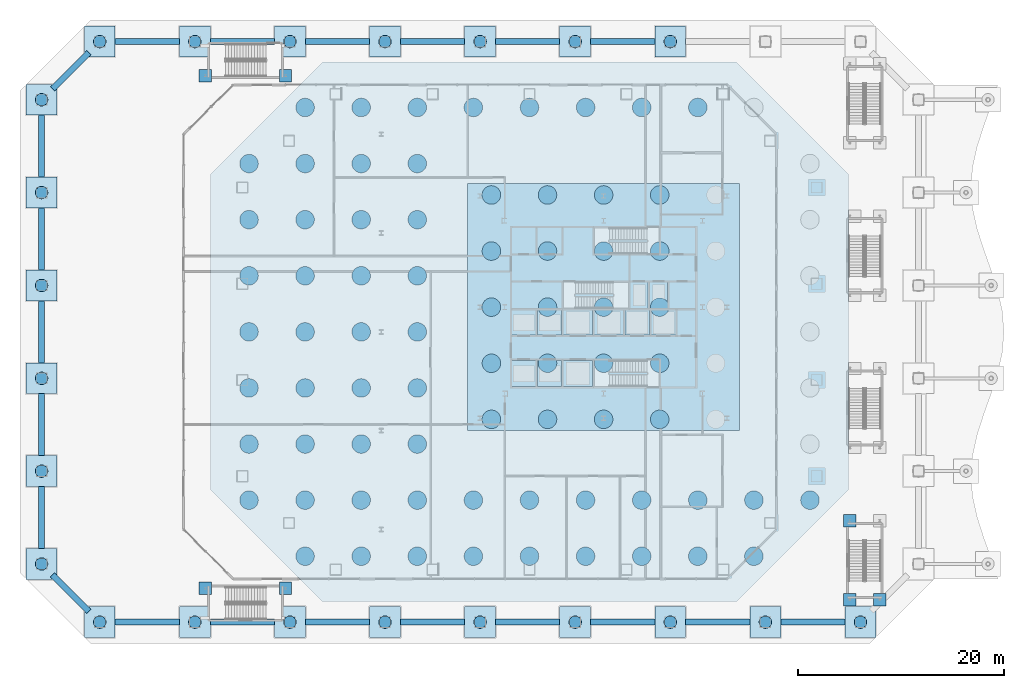
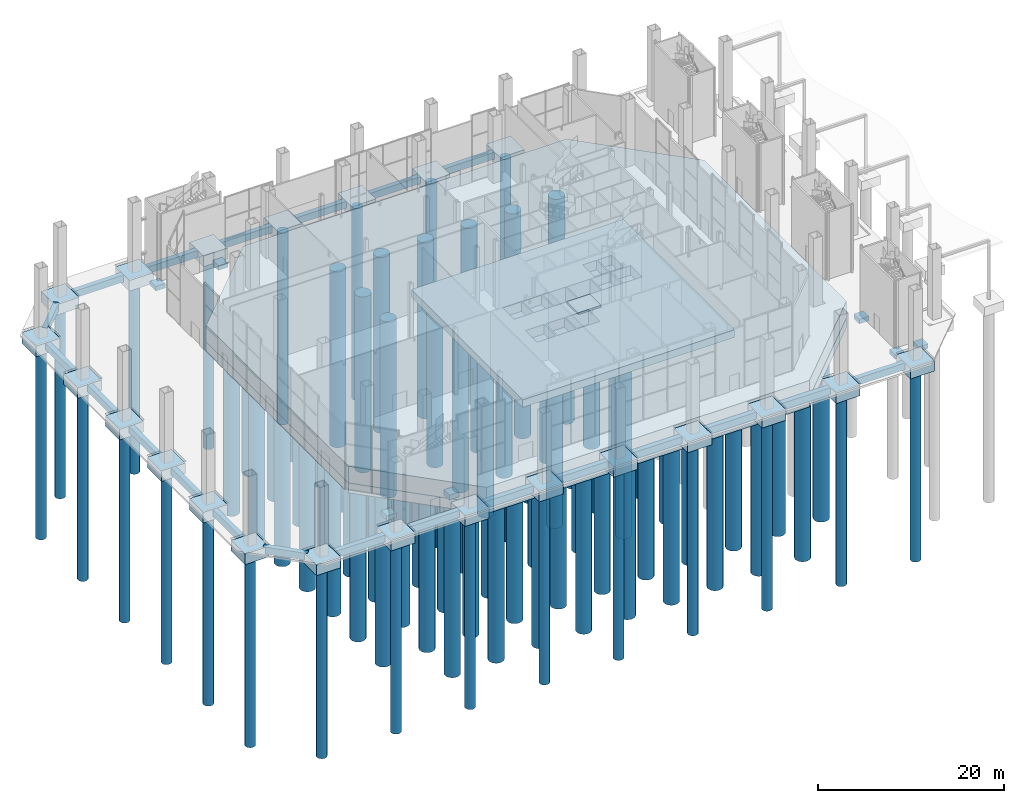
# One storey, part 1 of 38: 94 piles, 64 footings.
"""IFC4 building model written with IfcOpenShell, lengths in metres."""

from ifc_helpers import new_model, si_unit, direction, frame, origin, origin_2d, place, context, subcontext, project, spatial, polyline, rectangle, circle, outline, extrude, material, layer, layer_set, material_profile, profile_set, type_object, element, save


model = new_model("IFC4")

# Units and contexts
model_context = context("Model", 3, precision=1e-05, world=origin(), true_north=direction((0.0, 1.0)))
body_context = subcontext(model_context, "Body", "Model", "MODEL_VIEW")
ifc_project = project(units=[si_unit("LENGTHUNIT", "METRE"), si_unit("AREAUNIT", "SQUARE_METRE"), si_unit("VOLUMEUNIT", "CUBIC_METRE"), si_unit("PLANEANGLEUNIT", "RADIAN"), si_unit("MASSUNIT", "GRAM", prefix="KILO")], contexts=[model_context])

# Site, building, storey
site_placement = place(None, origin())
site = spatial("IfcSite", under=ifc_project, at=site_placement, CompositionType="ELEMENT")
building_placement = place(site_placement, origin())
building = spatial("IfcBuilding", under=site, at=building_placement, Name="Cairn Pilgrim Tower", CompositionType="ELEMENT")
storey_placement = place(building_placement, origin())
storey = spatial("IfcBuildingStorey", under=building, at=storey_placement, Name="L00", CompositionType="ELEMENT", Elevation=0.0)

# Footings
ifc_material_1 = material(Name="Concrete C40/50", Category="concrete")
footing_type_1 = type_object("IfcFootingType", Name="GROUND BEAM 600x900", PredefinedType="FOOTING_BEAM", material=ifc_material_1)
for number, where, z_axis, x_axis, name in (
    (1, (-37.132568359375, -28.199951171875, -1.14990234375), (0.0, 0.0, 1.0), (1.0, 0.0, 0.0), "GROUND BEAM GB-S1"),
    (2, (-27.894775390625, -28.199951171875, -1.14990234375), (0.0, 0.0, 1.0), (1.0, 0.0, 0.0), "GROUND BEAM GB-S2"),
    (3, (-18.65673828125, -28.199951171875, -1.14990234375), (0.0, 0.0, 1.0), (1.0, 0.0, 0.0), "GROUND BEAM GB-S3"),
    (4, (-9.4189453125, -28.199951171875, -1.14990234375), (0.0, 0.0, 1.0), (1.0, 0.0, 0.0), "GROUND BEAM GB-S4"),
    (5, (-0.18115234375, -28.199951171875, -1.14990234375), (0.0, 0.0, 1.0), (1.0, 0.0, 0.0), "GROUND BEAM GB-S5"),
    (6, (9.056884765625, -28.199951171875, -1.14990234375), (0.0, 0.0, 1.0), (1.0, 0.0, 0.0), "GROUND BEAM GB-S6"),
    (7, (18.294677734375, -28.199951171875, -1.14990234375), (0.0, 0.0, 1.0), (1.0, 0.0, 0.0), "GROUND BEAM GB-S7"),
    (8, (27.532470703125, -28.199951171875, -1.14990234375), (0.0, 0.0, 1.0), (1.0, 0.0, 0.0), "GROUND BEAM GB-S8"),
    (9, (9.056884765625, 28.199951171875, -1.14990234375), (0.0, 0.0, 1.0), (-1.0, 0.0, 0.0), "GROUND BEAM GB-N3"),
    (10, (-0.18115234375, 28.199951171875, -1.14990234375), (0.0, 0.0, 1.0), (-1.0, 0.0, 0.0), "GROUND BEAM GB-N4"),
    (11, (-9.4189453125, 28.199951171875, -1.14990234375), (0.0, 0.0, 1.0), (-1.0, 0.0, 0.0), "GROUND BEAM GB-N5"),
    (12, (-18.65673828125, 28.199951171875, -1.14990234375), (0.0, 0.0, 1.0), (-1.0, 0.0, 0.0), "GROUND BEAM GB-N6"),
    (13, (-27.894775390625, 28.199951171875, -1.14990234375), (0.0, 0.0, 1.0), (-1.0, 0.0, 0.0), "GROUND BEAM GB-N7"),
    (14, (-37.132568359375, 28.199951171875, -1.14990234375), (0.0, 0.0, 1.0), (-1.0, 0.0, 0.0), "GROUND BEAM GB-N8"),
):
    element("IfcFooting", number, at=place(storey_placement, frame(where, z_axis=z_axis, x_axis=x_axis)), inside=storey, type_object=footing_type_1, Name=name, PredefinedType="FOOTING_BEAM", context=body_context, shape_type="SweptSolid", body=[
        extrude(rectangle(XDim=6.23779296875, YDim=0.60009765625, at=origin_2d()), origin(), (0.0, 0.0, 1.0), 0.89990234375),
    ])
footing_1_placement = place(storey_placement, frame((-44.57568359375, 25.375732421875, -1.14990234375), z_axis=(0.0, 0.0, 1.0), x_axis=(-0.707106781187, -0.707106781187, 0.0)))
element("IfcFooting", 15, at=footing_1_placement, inside=storey, type_object=footing_type_1, Name="GROUND BEAM GB-NW1", PredefinedType="FOOTING_BEAM", context=body_context, shape_type="SweptSolid", body=[
    extrude(rectangle(XDim=4.98828125, YDim=0.60009765625, at=origin_2d()), origin(), (0.0, 0.0, 1.0), 0.89990234375),
])
for number, where, z_axis, x_axis, name in (
    (16, (-47.39990234375, 18.041259765625, -1.14990234375), (0.0, 0.0, 1.0), (0.0, -1.0, 0.0), "GROUND BEAM GB-W1"),
    (17, (-47.39990234375, 9.0205078125, -1.14990234375), (0.0, 0.0, 1.0), (0.0, -1.0, 0.0), "GROUND BEAM GB-W2"),
    (18, (-47.39990234375, 0.0, -1.14990234375), (0.0, 0.0, 1.0), (0.0, -1.0, 0.0), "GROUND BEAM GB-W3"),
    (19, (-47.39990234375, -9.0205078125, -1.14990234375), (0.0, 0.0, 1.0), (0.0, -1.0, 0.0), "GROUND BEAM GB-W4"),
    (20, (-47.39990234375, -18.041259765625, -1.14990234375), (0.0, 0.0, 1.0), (0.0, -1.0, 0.0), "GROUND BEAM GB-W5"),
):
    element("IfcFooting", number, at=place(storey_placement, frame(where, z_axis=z_axis, x_axis=x_axis)), inside=storey, type_object=footing_type_1, Name=name, PredefinedType="FOOTING_BEAM", context=body_context, shape_type="SweptSolid", body=[
        extrude(rectangle(XDim=6.0205078125, YDim=0.60009765625, at=origin_2d()), origin(), (0.0, 0.0, 1.0), 0.89990234375),
    ])
footing_2_placement = place(storey_placement, frame((-44.57568359375, -25.375732421875, -1.14990234375), z_axis=(0.0, 0.0, 1.0), x_axis=(0.707106781187, -0.707106781187, 0.0)))
element("IfcFooting", 21, at=footing_2_placement, inside=storey, type_object=footing_type_1, Name="GROUND BEAM GB-SW1", PredefinedType="FOOTING_BEAM", context=body_context, shape_type="SweptSolid", body=[
    extrude(rectangle(XDim=4.98828125, YDim=0.60009765625, at=origin_2d()), origin(), (0.0, 0.0, 1.0), 0.89990234375),
])
footing_type_2 = type_object("IfcFootingType", Name="PAD 1200x1200x600", PredefinedType="PAD_FOOTING", material=ifc_material_1)
for number, where, z_axis, x_axis, name in (
    (22, (-31.5, 24.89990234375, -0.85009765625), (0.0, 0.0, 1.0), (1.0, 0.0, 0.0), "PAD PAD-HN-W"),
    (23, (-23.699951171875, 24.89990234375, -0.85009765625), (0.0, 0.0, 1.0), (1.0, 0.0, 0.0), "PAD PAD-HN-E"),
    (24, (-31.5, -24.89990234375, -0.85009765625), (0.0, 0.0, 1.0), (1.0, 0.0, 0.0), "PAD PAD-HS-W"),
    (25, (-23.699951171875, -24.89990234375, -0.85009765625), (0.0, 0.0, 1.0), (1.0, 0.0, 0.0), "PAD PAD-HS-E"),
    (26, (31.10498046875, -18.360107421875, -0.85009765625), (0.0, 0.0, 1.0), (1.0, 0.0, 0.0), "PAD PAD-ES1-NA"),
    (27, (31.10498046875, -26.0400390625, -0.85009765625), (0.0, 0.0, 1.0), (1.0, 0.0, 0.0), "PAD PAD-ES1-SA"),
    (28, (34.044921875, -26.0400390625, -0.85009765625), (0.0, 0.0, 1.0), (1.0, 0.0, 0.0), "PAD PAD-ES1-SB"),
):
    element("IfcFooting", number, at=place(storey_placement, frame(where, z_axis=z_axis, x_axis=x_axis)), inside=storey, type_object=footing_type_2, Name=name, PredefinedType="PAD_FOOTING", context=body_context, shape_type="SweptSolid", body=[
        extrude(rectangle(XDim=1.199951171875, YDim=1.199951171875, at=origin_2d()), origin(), (0.0, 0.0, 1.0), 0.60009765625),
    ])

# Piles
ifc_material_2 = material(Name="Concrete C35/45", Category="concrete")
ifc_material_profile_1 = material_profile(ifc_material_2, circle(Radius=0.60009765625, at=origin_2d()), Name="D1200")
ifc_profile_set_1 = profile_set([ifc_material_profile_1], Name="Concrete C35/45")
pile_type_1 = type_object("IfcPileType", Name="PILE BORED D1200", PredefinedType="BORED", material=ifc_profile_set_1)
for number, where, z_axis, x_axis, name in (
    (29, (-41.75146484375, -28.199951171875, -1.5), (0.0, 0.0, -1.0), (1.0, 0.0, 0.0), "PILE P2-S1"),
    (30, (-32.513671875, -28.199951171875, -1.5), (0.0, 0.0, -1.0), (1.0, 0.0, 0.0), "PILE P2-S2"),
    (31, (-23.275634765625, -28.199951171875, -1.5), (0.0, 0.0, -1.0), (1.0, 0.0, 0.0), "PILE P2-S3"),
    (32, (-14.037841796875, -28.199951171875, -1.5), (0.0, 0.0, -1.0), (1.0, 0.0, 0.0), "PILE P2-S4"),
    (33, (-4.800048828125, -28.199951171875, -1.5), (0.0, 0.0, -1.0), (1.0, 0.0, 0.0), "PILE P2-S5"),
    (34, (4.43798828125, -28.199951171875, -1.5), (0.0, 0.0, -1.0), (1.0, 0.0, 0.0), "PILE P2-S6"),
    (35, (13.67578125, -28.199951171875, -1.5), (0.0, 0.0, -1.0), (1.0, 0.0, 0.0), "PILE P2-S7"),
    (36, (22.91357421875, -28.199951171875, -1.5), (0.0, 0.0, -1.0), (1.0, 0.0, 0.0), "PILE P2-S8"),
    (37, (32.151611328125, -28.199951171875, -1.5), (0.0, 0.0, -1.0), (1.0, 0.0, 0.0), "PILE P2-SE1"),
    (38, (13.67578125, 28.199951171875, -1.5), (0.0, 0.0, -1.0), (1.0, 0.0, 0.0), "PILE P2-N3"),
    (39, (4.43798828125, 28.199951171875, -1.5), (0.0, 0.0, -1.0), (1.0, 0.0, 0.0), "PILE P2-N4"),
    (40, (-4.800048828125, 28.199951171875, -1.5), (0.0, 0.0, -1.0), (1.0, 0.0, 0.0), "PILE P2-N5"),
    (41, (-14.037841796875, 28.199951171875, -1.5), (0.0, 0.0, -1.0), (1.0, 0.0, 0.0), "PILE P2-N6"),
    (42, (-23.275634765625, 28.199951171875, -1.5), (0.0, 0.0, -1.0), (1.0, 0.0, 0.0), "PILE P2-N7"),
    (43, (-32.513671875, 28.199951171875, -1.5), (0.0, 0.0, -1.0), (1.0, 0.0, 0.0), "PILE P2-N8"),
    (44, (-41.75146484375, 28.199951171875, -1.5), (0.0, 0.0, -1.0), (1.0, 0.0, 0.0), "PILE P2-NW1"),
    (45, (-47.39990234375, 22.551513671875, -1.5), (0.0, 0.0, -1.0), (1.0, 0.0, 0.0), "PILE P2-W1"),
    (46, (-47.39990234375, 13.531005859375, -1.5), (0.0, 0.0, -1.0), (1.0, 0.0, 0.0), "PILE P2-W2"),
    (47, (-47.39990234375, 4.51025390625, -1.5), (0.0, 0.0, -1.0), (1.0, 0.0, 0.0), "PILE P2-W3"),
    (48, (-47.39990234375, -4.51025390625, -1.5), (0.0, 0.0, -1.0), (1.0, 0.0, 0.0), "PILE P2-W4"),
    (49, (-47.39990234375, -13.531005859375, -1.5), (0.0, 0.0, -1.0), (1.0, 0.0, 0.0), "PILE P2-W5"),
    (50, (-47.39990234375, -22.551513671875, -1.5), (0.0, 0.0, -1.0), (1.0, 0.0, 0.0), "PILE P2-SW1"),
):
    element("IfcPile", number, at=place(storey_placement, frame(where, z_axis=z_axis, x_axis=x_axis)), inside=storey, type_object=pile_type_1, Name=name, PredefinedType="BORED", context=body_context, shape_type="SweptSolid", body=[
        extrude(circle(Radius=0.60009765625, at=origin_2d()), origin(), (0.0, 0.0, 1.0), 25.25),
    ])
ifc_material_profile_2 = material_profile(ifc_material_2, circle(Radius=0.89990234375, at=origin_2d()), Name="D1800")
ifc_profile_set_2 = profile_set([ifc_material_profile_2], Name="Concrete C35/45")
pile_type_2 = type_object("IfcPileType", Name="PILE BORED D1800", PredefinedType="BORED", material=ifc_profile_set_2)
for number, where, z_axis, x_axis, name in (
    (51, (-21.800048828125, -21.800048828125, -3.60009765625), (0.0, 0.0, -1.0), (1.0, 0.0, 0.0), "PILE P1-001"),
    (52, (-16.35009765625, -21.800048828125, -3.60009765625), (0.0, 0.0, -1.0), (1.0, 0.0, 0.0), "PILE P1-002"),
    (53, (-10.89990234375, -21.800048828125, -3.60009765625), (0.0, 0.0, -1.0), (1.0, 0.0, 0.0), "PILE P1-003"),
    (54, (-5.449951171875, -21.800048828125, -3.60009765625), (0.0, 0.0, -1.0), (1.0, 0.0, 0.0), "PILE P1-004"),
    (55, (0.0, -21.800048828125, -3.60009765625), (0.0, 0.0, -1.0), (1.0, 0.0, 0.0), "PILE P1-005"),
    (56, (5.449951171875, -21.800048828125, -3.60009765625), (0.0, 0.0, -1.0), (1.0, 0.0, 0.0), "PILE P1-006"),
    (57, (10.89990234375, -21.800048828125, -3.60009765625), (0.0, 0.0, -1.0), (1.0, 0.0, 0.0), "PILE P1-007"),
    (58, (16.35009765625, -21.800048828125, -3.60009765625), (0.0, 0.0, -1.0), (1.0, 0.0, 0.0), "PILE P1-008"),
    (59, (21.800048828125, -21.800048828125, -3.60009765625), (0.0, 0.0, -1.0), (1.0, 0.0, 0.0), "PILE P1-009"),
    (60, (-27.25, -16.35009765625, -3.60009765625), (0.0, 0.0, -1.0), (1.0, 0.0, 0.0), "PILE P1-010"),
    (61, (-21.800048828125, -16.35009765625, -3.60009765625), (0.0, 0.0, -1.0), (1.0, 0.0, 0.0), "PILE P1-011"),
    (62, (-16.35009765625, -16.35009765625, -3.60009765625), (0.0, 0.0, -1.0), (1.0, 0.0, 0.0), "PILE P1-012"),
    (63, (-10.89990234375, -16.35009765625, -3.60009765625), (0.0, 0.0, -1.0), (1.0, 0.0, 0.0), "PILE P1-013"),
    (64, (-5.449951171875, -16.35009765625, -3.60009765625), (0.0, 0.0, -1.0), (1.0, 0.0, 0.0), "PILE P1-014"),
    (65, (0.0, -16.35009765625, -3.60009765625), (0.0, 0.0, -1.0), (1.0, 0.0, 0.0), "PILE P1-015"),
    (66, (5.449951171875, -16.35009765625, -3.60009765625), (0.0, 0.0, -1.0), (1.0, 0.0, 0.0), "PILE P1-016"),
    (67, (10.89990234375, -16.35009765625, -3.60009765625), (0.0, 0.0, -1.0), (1.0, 0.0, 0.0), "PILE P1-017"),
    (68, (16.35009765625, -16.35009765625, -3.60009765625), (0.0, 0.0, -1.0), (1.0, 0.0, 0.0), "PILE P1-018"),
    (69, (21.800048828125, -16.35009765625, -3.60009765625), (0.0, 0.0, -1.0), (1.0, 0.0, 0.0), "PILE P1-019"),
    (70, (27.25, -16.35009765625, -3.60009765625), (0.0, 0.0, -1.0), (1.0, 0.0, 0.0), "PILE P1-020"),
    (71, (-27.25, -10.89990234375, -3.60009765625), (0.0, 0.0, -1.0), (1.0, 0.0, 0.0), "PILE P1-021"),
    (72, (-21.800048828125, -10.89990234375, -3.60009765625), (0.0, 0.0, -1.0), (1.0, 0.0, 0.0), "PILE P1-022"),
    (73, (-16.35009765625, -10.89990234375, -3.60009765625), (0.0, 0.0, -1.0), (1.0, 0.0, 0.0), "PILE P1-023"),
    (74, (-10.89990234375, -10.89990234375, -3.60009765625), (0.0, 0.0, -1.0), (1.0, 0.0, 0.0), "PILE P1-024"),
    (75, (-27.25, -5.449951171875, -3.60009765625), (0.0, 0.0, -1.0), (1.0, 0.0, 0.0), "PILE P1-026"),
    (76, (-21.800048828125, -5.449951171875, -3.60009765625), (0.0, 0.0, -1.0), (1.0, 0.0, 0.0), "PILE P1-027"),
    (77, (-16.35009765625, -5.449951171875, -3.60009765625), (0.0, 0.0, -1.0), (1.0, 0.0, 0.0), "PILE P1-028"),
    (78, (-10.89990234375, -5.449951171875, -3.60009765625), (0.0, 0.0, -1.0), (1.0, 0.0, 0.0), "PILE P1-029"),
    (79, (-27.25, 0.0, -3.60009765625), (0.0, 0.0, -1.0), (1.0, 0.0, 0.0), "PILE P1-031"),
    (80, (-21.800048828125, 0.0, -3.60009765625), (0.0, 0.0, -1.0), (1.0, 0.0, 0.0), "PILE P1-032"),
    (81, (-16.35009765625, 0.0, -3.60009765625), (0.0, 0.0, -1.0), (1.0, 0.0, 0.0), "PILE P1-033"),
    (82, (-10.89990234375, 0.0, -3.60009765625), (0.0, 0.0, -1.0), (1.0, 0.0, 0.0), "PILE P1-034"),
    (83, (-27.25, 5.449951171875, -3.60009765625), (0.0, 0.0, -1.0), (1.0, 0.0, 0.0), "PILE P1-036"),
    (84, (-21.800048828125, 5.449951171875, -3.60009765625), (0.0, 0.0, -1.0), (1.0, 0.0, 0.0), "PILE P1-037"),
    (85, (-16.35009765625, 5.449951171875, -3.60009765625), (0.0, 0.0, -1.0), (1.0, 0.0, 0.0), "PILE P1-038"),
    (86, (-10.89990234375, 5.449951171875, -3.60009765625), (0.0, 0.0, -1.0), (1.0, 0.0, 0.0), "PILE P1-039"),
    (87, (-27.25, 10.89990234375, -3.60009765625), (0.0, 0.0, -1.0), (1.0, 0.0, 0.0), "PILE P1-041"),
    (88, (-21.800048828125, 10.89990234375, -3.60009765625), (0.0, 0.0, -1.0), (1.0, 0.0, 0.0), "PILE P1-042"),
    (89, (-16.35009765625, 10.89990234375, -3.60009765625), (0.0, 0.0, -1.0), (1.0, 0.0, 0.0), "PILE P1-043"),
    (90, (-10.89990234375, 10.89990234375, -3.60009765625), (0.0, 0.0, -1.0), (1.0, 0.0, 0.0), "PILE P1-044"),
    (91, (-27.25, 16.35009765625, -3.60009765625), (0.0, 0.0, -1.0), (1.0, 0.0, 0.0), "PILE P1-046"),
    (92, (-21.800048828125, 16.35009765625, -3.60009765625), (0.0, 0.0, -1.0), (1.0, 0.0, 0.0), "PILE P1-047"),
    (93, (-16.35009765625, 16.35009765625, -3.60009765625), (0.0, 0.0, -1.0), (1.0, 0.0, 0.0), "PILE P1-048"),
    (94, (-10.89990234375, 16.35009765625, -3.60009765625), (0.0, 0.0, -1.0), (1.0, 0.0, 0.0), "PILE P1-049"),
    (95, (-21.800048828125, 21.800048828125, -3.60009765625), (0.0, 0.0, -1.0), (1.0, 0.0, 0.0), "PILE P1-051"),
    (96, (-16.35009765625, 21.800048828125, -3.60009765625), (0.0, 0.0, -1.0), (1.0, 0.0, 0.0), "PILE P1-052"),
    (97, (-10.89990234375, 21.800048828125, -3.60009765625), (0.0, 0.0, -1.0), (1.0, 0.0, 0.0), "PILE P1-053"),
    (98, (-5.449951171875, 21.800048828125, -3.60009765625), (0.0, 0.0, -1.0), (1.0, 0.0, 0.0), "PILE P1-054"),
    (99, (0.0, 21.800048828125, -3.60009765625), (0.0, 0.0, -1.0), (1.0, 0.0, 0.0), "PILE P1-055"),
    (100, (5.449951171875, 21.800048828125, -3.60009765625), (0.0, 0.0, -1.0), (1.0, 0.0, 0.0), "PILE P1-056"),
    (101, (10.89990234375, 21.800048828125, -3.60009765625), (0.0, 0.0, -1.0), (1.0, 0.0, 0.0), "PILE P1-057"),
    (102, (16.35009765625, 21.800048828125, -3.60009765625), (0.0, 0.0, -1.0), (1.0, 0.0, 0.0), "PILE P1-058"),
):
    element("IfcPile", number, at=place(storey_placement, frame(where, z_axis=z_axis, x_axis=x_axis)), inside=storey, type_object=pile_type_2, Name=name, PredefinedType="BORED", context=body_context, shape_type="SweptSolid", body=[
        extrude(circle(Radius=0.89990234375, at=origin_2d()), origin(), (0.0, 0.0, 1.0), 23.14990234375),
    ])
ifc_material_profile_3 = material_profile(ifc_material_2, circle(Radius=0.89990234375, at=origin_2d()), Name="D1800")
ifc_profile_set_3 = profile_set([ifc_material_profile_3], Name="Concrete C35/45")
pile_type_3 = type_object("IfcPileType", Name="PILE BORED D1800 CORE", PredefinedType="BORED", material=ifc_profile_set_3)
for number, where, z_axis, x_axis, name in (
    (103, (-3.699951171875, -8.5, -4.60009765625), (0.0, 0.0, -1.0), (1.0, 0.0, 0.0), "PILE P3-060"),
    (104, (1.75, -8.5, -4.60009765625), (0.0, 0.0, -1.0), (1.0, 0.0, 0.0), "PILE P3-061"),
    (105, (7.199951171875, -8.5, -4.60009765625), (0.0, 0.0, -1.0), (1.0, 0.0, 0.0), "PILE P3-062"),
    (106, (12.64990234375, -8.5, -4.60009765625), (0.0, 0.0, -1.0), (1.0, 0.0, 0.0), "PILE P3-063"),
    (107, (-3.699951171875, -3.050048828125, -4.60009765625), (0.0, 0.0, -1.0), (1.0, 0.0, 0.0), "PILE P3-065"),
    (108, (1.75, -3.050048828125, -4.60009765625), (0.0, 0.0, -1.0), (1.0, 0.0, 0.0), "PILE P3-066"),
    (109, (7.199951171875, -3.050048828125, -4.60009765625), (0.0, 0.0, -1.0), (1.0, 0.0, 0.0), "PILE P3-067"),
    (110, (12.64990234375, -3.050048828125, -4.60009765625), (0.0, 0.0, -1.0), (1.0, 0.0, 0.0), "PILE P3-068"),
    (111, (-3.699951171875, 2.39990234375, -4.60009765625), (0.0, 0.0, -1.0), (1.0, 0.0, 0.0), "PILE P3-070"),
    (112, (1.75, 2.39990234375, -4.60009765625), (0.0, 0.0, -1.0), (1.0, 0.0, 0.0), "PILE P3-071"),
    (113, (7.199951171875, 2.39990234375, -4.60009765625), (0.0, 0.0, -1.0), (1.0, 0.0, 0.0), "PILE P3-072"),
    (114, (12.64990234375, 2.39990234375, -4.60009765625), (0.0, 0.0, -1.0), (1.0, 0.0, 0.0), "PILE P3-073"),
    (115, (-3.699951171875, 7.85009765625, -4.60009765625), (0.0, 0.0, -1.0), (1.0, 0.0, 0.0), "PILE P3-075"),
    (116, (1.75, 7.85009765625, -4.60009765625), (0.0, 0.0, -1.0), (1.0, 0.0, 0.0), "PILE P3-076"),
    (117, (7.199951171875, 7.85009765625, -4.60009765625), (0.0, 0.0, -1.0), (1.0, 0.0, 0.0), "PILE P3-077"),
    (118, (12.64990234375, 7.85009765625, -4.60009765625), (0.0, 0.0, -1.0), (1.0, 0.0, 0.0), "PILE P3-078"),
    (119, (-3.699951171875, 13.300048828125, -4.60009765625), (0.0, 0.0, -1.0), (1.0, 0.0, 0.0), "PILE P3-080"),
    (120, (1.75, 13.300048828125, -4.60009765625), (0.0, 0.0, -1.0), (1.0, 0.0, 0.0), "PILE P3-081"),
    (121, (7.199951171875, 13.300048828125, -4.60009765625), (0.0, 0.0, -1.0), (1.0, 0.0, 0.0), "PILE P3-082"),
    (122, (12.64990234375, 13.300048828125, -4.60009765625), (0.0, 0.0, -1.0), (1.0, 0.0, 0.0), "PILE P3-083"),
):
    element("IfcPile", number, at=place(storey_placement, frame(where, z_axis=z_axis, x_axis=x_axis)), inside=storey, type_object=pile_type_3, Name=name, PredefinedType="BORED", context=body_context, shape_type="SweptSolid", body=[
        extrude(circle(Radius=0.89990234375, at=origin_2d()), origin(), (0.0, 0.0, 1.0), 22.14990234375),
    ])

# Footings
ifc_material_3 = material(Name="Concrete C45/55", Category="concrete")
footing_type_3 = type_object("IfcFootingType", Name="PILE CAP 3000x3000x1400", PredefinedType="PILE_CAP", material=ifc_material_3)
for number, where, z_axis, x_axis, name in (
    (123, (-41.75146484375, -28.199951171875, -1.64990234375), (0.0, 0.0, 1.0), (1.0, 0.0, 0.0), "PILE CAP PC-S1"),
    (124, (-32.513671875, -28.199951171875, -1.64990234375), (0.0, 0.0, 1.0), (1.0, 0.0, 0.0), "PILE CAP PC-S2"),
    (125, (-23.275634765625, -28.199951171875, -1.64990234375), (0.0, 0.0, 1.0), (1.0, 0.0, 0.0), "PILE CAP PC-S3"),
    (126, (-14.037841796875, -28.199951171875, -1.64990234375), (0.0, 0.0, 1.0), (1.0, 0.0, 0.0), "PILE CAP PC-S4"),
    (127, (-4.800048828125, -28.199951171875, -1.64990234375), (0.0, 0.0, 1.0), (1.0, 0.0, 0.0), "PILE CAP PC-S5"),
    (128, (4.43798828125, -28.199951171875, -1.64990234375), (0.0, 0.0, 1.0), (1.0, 0.0, 0.0), "PILE CAP PC-S6"),
    (129, (13.67578125, -28.199951171875, -1.64990234375), (0.0, 0.0, 1.0), (1.0, 0.0, 0.0), "PILE CAP PC-S7"),
    (130, (22.91357421875, -28.199951171875, -1.64990234375), (0.0, 0.0, 1.0), (1.0, 0.0, 0.0), "PILE CAP PC-S8"),
    (131, (32.151611328125, -28.199951171875, -1.64990234375), (0.0, 0.0, 1.0), (1.0, 0.0, 0.0), "PILE CAP PC-SE1"),
    (132, (13.67578125, 28.199951171875, -1.64990234375), (0.0, 0.0, 1.0), (1.0, 0.0, 0.0), "PILE CAP PC-N3"),
    (133, (4.43798828125, 28.199951171875, -1.64990234375), (0.0, 0.0, 1.0), (1.0, 0.0, 0.0), "PILE CAP PC-N4"),
    (134, (-4.800048828125, 28.199951171875, -1.64990234375), (0.0, 0.0, 1.0), (1.0, 0.0, 0.0), "PILE CAP PC-N5"),
    (135, (-14.037841796875, 28.199951171875, -1.64990234375), (0.0, 0.0, 1.0), (1.0, 0.0, 0.0), "PILE CAP PC-N6"),
    (136, (-23.275634765625, 28.199951171875, -1.64990234375), (0.0, 0.0, 1.0), (1.0, 0.0, 0.0), "PILE CAP PC-N7"),
    (137, (-32.513671875, 28.199951171875, -1.64990234375), (0.0, 0.0, 1.0), (1.0, 0.0, 0.0), "PILE CAP PC-N8"),
    (138, (-41.75146484375, 28.199951171875, -1.64990234375), (0.0, 0.0, 1.0), (1.0, 0.0, 0.0), "PILE CAP PC-NW1"),
    (139, (-47.39990234375, 22.551513671875, -1.64990234375), (0.0, 0.0, 1.0), (1.0, 0.0, 0.0), "PILE CAP PC-W1"),
    (140, (-47.39990234375, 13.531005859375, -1.64990234375), (0.0, 0.0, 1.0), (1.0, 0.0, 0.0), "PILE CAP PC-W2"),
    (141, (-47.39990234375, 4.51025390625, -1.64990234375), (0.0, 0.0, 1.0), (1.0, 0.0, 0.0), "PILE CAP PC-W3"),
    (142, (-47.39990234375, -4.51025390625, -1.64990234375), (0.0, 0.0, 1.0), (1.0, 0.0, 0.0), "PILE CAP PC-W4"),
    (143, (-47.39990234375, -13.531005859375, -1.64990234375), (0.0, 0.0, 1.0), (1.0, 0.0, 0.0), "PILE CAP PC-W5"),
    (144, (-47.39990234375, -22.551513671875, -1.64990234375), (0.0, 0.0, 1.0), (1.0, 0.0, 0.0), "PILE CAP PC-SW1"),
):
    element("IfcFooting", number, at=place(storey_placement, frame(where, z_axis=z_axis, x_axis=x_axis)), inside=storey, type_object=footing_type_3, Name=name, PredefinedType="PILE_CAP", context=body_context, shape_type="SweptSolid", body=[
        extrude(rectangle(XDim=3.0, YDim=3.0, at=origin_2d()), origin(), (0.0, 0.0, 1.0), 1.39990234375),
    ])
ifc_layer_1 = layer(ifc_material_3, 1.0)
ifc_layer_set_1 = layer_set([ifc_layer_1], Name="RAFT CORE THICKENING 1000")
footing_type_4 = type_object("IfcFootingType", Name="RAFT CORE THICKENING 1000", PredefinedType="USERDEFINED", material=ifc_layer_set_1)
footing_3_placement = place(storey_placement, frame((0.0, 0.0, -4.75)))
element("IfcFooting", 145, at=footing_3_placement, inside=storey, type_object=footing_type_4, Name="RAFT CORE THICKENING", ObjectType="RAFT THICKENING", PredefinedType="USERDEFINED", context=body_context, shape_type="SweptSolid", body=[
    extrude(outline(polyline([(20.39990234375, -9.60009765625), (20.39990234375, 14.39990234375), (-6.0, 14.39990234375), (-6.0, -9.60009765625), (20.39990234375, -9.60009765625)])), origin(), (0.0, 0.0, 1.0), 1.0),
])
ifc_layer_2 = layer(ifc_material_3, 1.300048828125)
ifc_layer_set_2 = layer_set([ifc_layer_2], Name="RAFT LOWER LAYER")
footing_type_5 = type_object("IfcFootingType", Name="RAFT LOWER LAYER", PredefinedType="USERDEFINED", material=ifc_layer_set_2)
footing_4_placement = place(storey_placement, frame((0.0, 0.0, -3.75)))
element("IfcFooting", 146, at=footing_4_placement, inside=storey, type_object=footing_type_5, Name="RAFT LOWER LAYER", ObjectType="RAFT FOUNDATION", PredefinedType="USERDEFINED", context=body_context, shape_type="SweptSolid", body=[
    extrude(outline(polyline([(20.111328125, -26.199951171875), (31.0, -15.311279296875), (31.0, 15.311279296875), (20.111328125, 26.199951171875), (-20.111328125, 26.199951171875), (-31.0, 15.311279296875), (-31.0, -15.311279296875), (-20.111328125, -26.199951171875), (20.111328125, -26.199951171875)])), origin(), (0.0, 0.0, 1.0), 1.300048828125),
])
ifc_layer_3 = layer(ifc_material_1, 0.25)
ifc_layer_set_3 = layer_set([ifc_layer_3], Name="RAFT PIT INFILL 250")
footing_type_6 = type_object("IfcFootingType", Name="RAFT PIT INFILL 250", PredefinedType="USERDEFINED", material=ifc_layer_set_3)
footing_5_placement = place(storey_placement, frame((0.0, 0.0, -2.449951171875)))
element("IfcFooting", 147, at=footing_5_placement, inside=storey, type_object=footing_type_6, Name="RAFT PIT INFILL SH1", ObjectType="RAFT FOUNDATION", PredefinedType="USERDEFINED", context=body_context, shape_type="SweptSolid", body=[
    extrude(outline(polyline([(3.27490234375, -5.300048828125), (6.125, -5.300048828125), (6.125, -2.77490234375), (3.27490234375, -2.77490234375), (3.27490234375, -5.300048828125)])), origin(), (0.0, 0.0, 1.0), 0.25),
])
footing_6_placement = place(storey_placement, frame((0.0, 0.0, -2.449951171875)))
element("IfcFooting", 148, at=footing_6_placement, inside=storey, type_object=footing_type_6, Name="RAFT PIT INFILL SH2", ObjectType="RAFT FOUNDATION", PredefinedType="USERDEFINED", context=body_context, shape_type="SweptSolid", body=[
    extrude(outline(polyline([(3.27490234375, -0.324951171875), (6.125, -0.324951171875), (6.125, 2.125), (3.27490234375, 2.125), (3.27490234375, -0.324951171875)])), origin(), (0.0, 0.0, 1.0), 0.25),
])
footing_7_placement = place(storey_placement, frame((0.0, 0.0, -2.449951171875)))
element("IfcFooting", 149, at=footing_7_placement, inside=storey, type_object=footing_type_6, Name="RAFT PIT INFILL SH3", ObjectType="RAFT FOUNDATION", PredefinedType="USERDEFINED", context=body_context, shape_type="SweptSolid", body=[
    extrude(outline(polyline([(6.27490234375, -0.324951171875), (9.125, -0.324951171875), (9.125, 2.125), (6.27490234375, 2.125), (6.27490234375, -0.324951171875)])), origin(), (0.0, 0.0, 1.0), 0.25),
])
ifc_layer_4 = layer(ifc_material_1, 0.949951171875)
ifc_layer_set_4 = layer_set([ifc_layer_4], Name="RAFT PIT INFILL 950")
footing_type_7 = type_object("IfcFootingType", Name="RAFT PIT INFILL 950", PredefinedType="USERDEFINED", material=ifc_layer_set_4)
footing_8_placement = place(storey_placement, frame((0.0, 0.0, -2.449951171875)))
element("IfcFooting", 150, at=footing_8_placement, inside=storey, type_object=footing_type_7, Name="RAFT PIT INFILL FF1", ObjectType="RAFT FOUNDATION", PredefinedType="USERDEFINED", context=body_context, shape_type="SweptSolid", body=[
    extrude(outline(polyline([(9.77490234375, 2.27490234375), (11.52490234375, 2.27490234375), (11.52490234375, 4.824951171875), (9.77490234375, 4.824951171875), (9.77490234375, 2.27490234375)])), origin(), (0.0, 0.0, 1.0), 0.949951171875),
])
footing_9_placement = place(storey_placement, frame((0.0, 0.0, -2.449951171875)))
element("IfcFooting", 151, at=footing_9_placement, inside=storey, type_object=footing_type_7, Name="RAFT PIT INFILL FF2", ObjectType="RAFT FOUNDATION", PredefinedType="USERDEFINED", context=body_context, shape_type="SweptSolid", body=[
    extrude(outline(polyline([(11.675048828125, 2.27490234375), (13.425048828125, 2.27490234375), (13.425048828125, 4.824951171875), (11.675048828125, 4.824951171875), (11.675048828125, 2.27490234375)])), origin(), (0.0, 0.0, 1.0), 0.949951171875),
])
footing_10_placement = place(storey_placement, frame((0.0, 0.0, -2.449951171875)))
element("IfcFooting", 152, at=footing_10_placement, inside=storey, type_object=footing_type_7, Name="RAFT PIT INFILL LR1", ObjectType="RAFT FOUNDATION", PredefinedType="USERDEFINED", context=body_context, shape_type="SweptSolid", body=[
    extrude(outline(polyline([(-1.72509765625, -5.300048828125), (0.625, -5.300048828125), (0.625, -2.77490234375), (-1.72509765625, -2.77490234375), (-1.72509765625, -5.300048828125)])), origin(), (0.0, 0.0, 1.0), 0.949951171875),
])
footing_11_placement = place(storey_placement, frame((0.0, 0.0, -2.449951171875)))
element("IfcFooting", 153, at=footing_11_placement, inside=storey, type_object=footing_type_7, Name="RAFT PIT INFILL LR2", ObjectType="RAFT FOUNDATION", PredefinedType="USERDEFINED", context=body_context, shape_type="SweptSolid", body=[
    extrude(outline(polyline([(0.77490234375, -5.300048828125), (3.125, -5.300048828125), (3.125, -2.77490234375), (0.77490234375, -2.77490234375), (0.77490234375, -5.300048828125)])), origin(), (0.0, 0.0, 1.0), 0.949951171875),
])
footing_12_placement = place(storey_placement, frame((0.0, 0.0, -2.449951171875)))
element("IfcFooting", 154, at=footing_12_placement, inside=storey, type_object=footing_type_7, Name="RAFT PIT INFILL LR3", ObjectType="RAFT FOUNDATION", PredefinedType="USERDEFINED", context=body_context, shape_type="SweptSolid", body=[
    extrude(outline(polyline([(-1.72509765625, -0.324951171875), (0.625, -0.324951171875), (0.625, 2.125), (-1.72509765625, 2.125), (-1.72509765625, -0.324951171875)])), origin(), (0.0, 0.0, 1.0), 0.949951171875),
])
footing_13_placement = place(storey_placement, frame((0.0, 0.0, -2.449951171875)))
element("IfcFooting", 155, at=footing_13_placement, inside=storey, type_object=footing_type_7, Name="RAFT PIT INFILL LR4", ObjectType="RAFT FOUNDATION", PredefinedType="USERDEFINED", context=body_context, shape_type="SweptSolid", body=[
    extrude(outline(polyline([(0.77490234375, -0.324951171875), (3.125, -0.324951171875), (3.125, 2.125), (0.77490234375, 2.125), (0.77490234375, -0.324951171875)])), origin(), (0.0, 0.0, 1.0), 0.949951171875),
])
footing_14_placement = place(storey_placement, frame((0.0, 0.0, -2.449951171875)))
element("IfcFooting", 156, at=footing_14_placement, inside=storey, type_object=footing_type_7, Name="RAFT PIT INFILL SV1", ObjectType="RAFT FOUNDATION", PredefinedType="USERDEFINED", context=body_context, shape_type="SweptSolid", body=[
    extrude(outline(polyline([(9.27490234375, -0.324951171875), (11.675048828125, -0.324951171875), (11.675048828125, 2.125), (9.27490234375, 2.125), (9.27490234375, -0.324951171875)])), origin(), (0.0, 0.0, 1.0), 0.949951171875),
])
footing_15_placement = place(storey_placement, frame((0.0, 0.0, -2.449951171875)))
element("IfcFooting", 157, at=footing_15_placement, inside=storey, type_object=footing_type_7, Name="RAFT PIT INFILL SV2", ObjectType="RAFT FOUNDATION", PredefinedType="USERDEFINED", context=body_context, shape_type="SweptSolid", body=[
    extrude(outline(polyline([(11.824951171875, -0.324951171875), (14.22509765625, -0.324951171875), (14.22509765625, 2.125), (11.824951171875, 2.125), (11.824951171875, -0.324951171875)])), origin(), (0.0, 0.0, 1.0), 0.949951171875),
])
ifc_layer_5 = layer(ifc_material_3, 2.199951171875)
ifc_layer_set_5 = layer_set([ifc_layer_5], Name="RAFT UPPER LAYER")
footing_type_8 = type_object("IfcFootingType", Name="RAFT UPPER LAYER", PredefinedType="USERDEFINED", material=ifc_layer_set_5)
footing_16_placement = place(storey_placement, frame((0.0, 0.0, -2.449951171875)))
element("IfcFooting", 158, at=footing_16_placement, inside=storey, type_object=footing_type_8, Name="RAFT UPPER LAYER", ObjectType="RAFT FOUNDATION", PredefinedType="USERDEFINED", context=body_context, shape_type="SweptSolid", body=[
    extrude(outline(polyline([(-20.111328125, -26.199951171875), (20.111328125, -26.199951171875), (31.0, -15.311279296875), (31.0, 15.311279296875), (20.111328125, 26.199951171875), (-20.111328125, 26.199951171875), (-31.0, 15.311279296875), (-31.0, -15.311279296875), (-20.111328125, -26.199951171875)]), holes=[polyline([(0.625, -2.77490234375), (0.625, -5.300048828125), (-1.72509765625, -5.300048828125), (-1.72509765625, -2.77490234375), (0.625, -2.77490234375)]), polyline([(3.125, -2.77490234375), (3.125, -5.300048828125), (0.77490234375, -5.300048828125), (0.77490234375, -2.77490234375), (3.125, -2.77490234375)]), polyline([(6.125, -2.77490234375), (6.125, -5.300048828125), (3.27490234375, -5.300048828125), (3.27490234375, -2.77490234375), (6.125, -2.77490234375)]), polyline([(0.625, -0.324951171875), (-1.72509765625, -0.324951171875), (-1.72509765625, 2.125), (0.625, 2.125), (0.625, -0.324951171875)]), polyline([(3.125, -0.324951171875), (0.77490234375, -0.324951171875), (0.77490234375, 2.125), (3.125, 2.125), (3.125, -0.324951171875)]), polyline([(6.125, 2.125), (6.125, -0.324951171875), (3.27490234375, -0.324951171875), (3.27490234375, 2.125), (6.125, 2.125)]), polyline([(9.125, -0.324951171875), (6.27490234375, -0.324951171875), (6.27490234375, 2.125), (9.125, 2.125), (9.125, -0.324951171875)]), polyline([(11.675048828125, -0.324951171875), (9.27490234375, -0.324951171875), (9.27490234375, 2.125), (11.675048828125, 2.125), (11.675048828125, -0.324951171875)]), polyline([(14.22509765625, 2.125), (14.22509765625, -0.324951171875), (11.824951171875, -0.324951171875), (11.824951171875, 2.125), (14.22509765625, 2.125)]), polyline([(11.52490234375, 2.27490234375), (9.77490234375, 2.27490234375), (9.77490234375, 4.824951171875), (11.52490234375, 4.824951171875), (11.52490234375, 2.27490234375)]), polyline([(13.425048828125, 2.27490234375), (11.675048828125, 2.27490234375), (11.675048828125, 4.824951171875), (13.425048828125, 4.824951171875), (13.425048828125, 2.27490234375)])]), origin(), (0.0, 0.0, 1.0), 2.199951171875),
])

save(model, "model.ifc")
